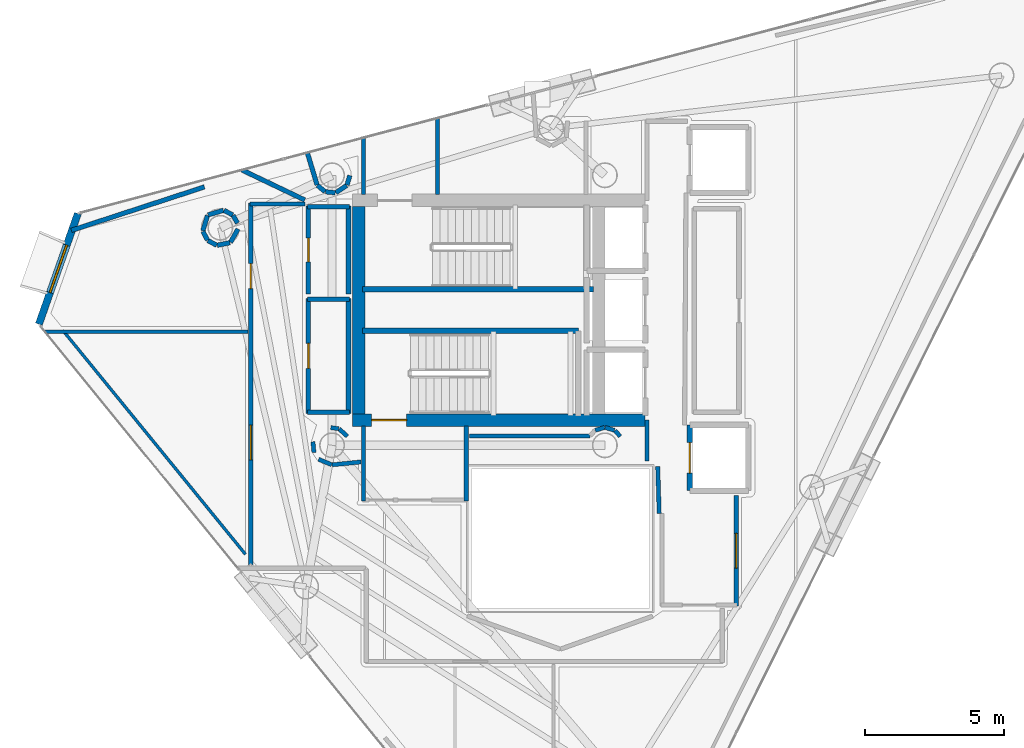
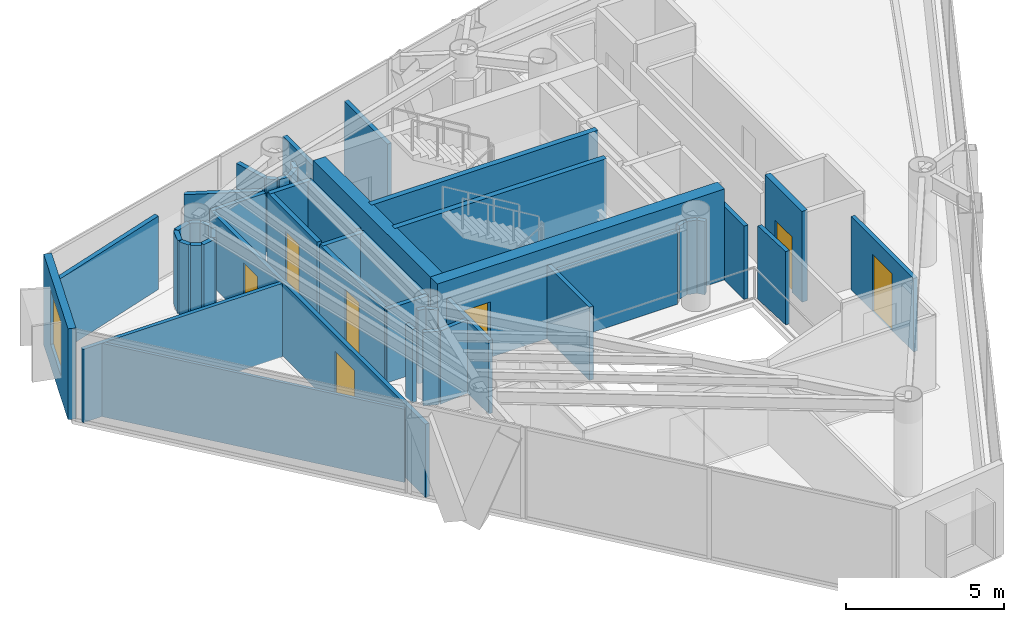
# One storey, part 19 of 23: 48 walls, 7 doors, 1 window, 8 openings.
"""IFC4 building model written with IfcOpenShell, lengths in metres."""

import ifcopenshell
import ifcopenshell.guid

model = None  # the IFC model being written
_history = None  # IfcOwnerHistory: only IFC2X3 demands one
_inside = {}  # id of a spatial element -> (the spatial element, [elements in it])
_under = {}  # id of a project, library or spatial element -> (it, [spatial elements below it])
_declared = {}  # id of a project -> (the project, [libraries it declares])
_typed = {}  # id of a type object -> (the type object, [elements of that type])
_made_of = {}  # id of a material, layer set ... -> (it, [elements and type objects made of it])


def new_model(schema):
    """Start an empty IFC model of exactly this schema.

    Asked for "IFC4X3", IfcOpenShell would pick the latest addendum, in which some entities
    have other attributes; the version numbers below select the first issue.
    IFC2X3 requires an IfcOwnerHistory on every rooted entity: one is made here for all.
    """
    global model, _history
    if schema == "IFC4X3":
        model = ifcopenshell.file(schema_version=(4, 3, 0, 0))
    else:
        model = ifcopenshell.file(schema=schema)
    _inside.clear()
    _under.clear()
    _declared.clear()
    _typed.clear()
    _made_of.clear()
    _history = None
    if model.schema == "IFC2X3":
        org = make("IfcOrganization", Name="unknown")
        user = make(
            "IfcPersonAndOrganization",
            ThePerson=make("IfcPerson", FamilyName="unknown"),
            TheOrganization=org,
        )
        app = make(
            "IfcApplication",
            ApplicationDeveloper=org,
            Version="unknown",
            ApplicationFullName="unknown",
            ApplicationIdentifier="unknown",
        )
        _history = make(
            "IfcOwnerHistory",
            OwningUser=user,
            OwningApplication=app,
            ChangeAction="ADDED",
            CreationDate=0,
        )
    return model


def make(cls, **values):
    """One entity of the class cls with the attributes given. An attribute that is None is left unset."""
    return model.create_entity(
        cls, **{name: value for name, value in values.items() if value is not None}
    )


def rooted(cls, **values):
    """An entity with a GlobalId (a new one), such as an element, a storey or a relation."""
    return make(cls, GlobalId=ifcopenshell.guid.new(), OwnerHistory=_history, **values)


def si_unit(unit_type, name, prefix=None):
    """IfcSIUnit, for example si_unit("LENGTHUNIT", "METRE", prefix="MILLI")."""
    return make("IfcSIUnit", UnitType=unit_type, Prefix=prefix, Name=name)


def assignment(units):
    """IfcUnitAssignment: the units of a project."""
    return None if units is None else make("IfcUnitAssignment", Units=units)


def point(xyz):
    """IfcCartesianPoint."""
    return None if xyz is None else make("IfcCartesianPoint", Coordinates=xyz)


def direction(xyz):
    """IfcDirection."""
    return None if xyz is None else make("IfcDirection", DirectionRatios=xyz)


def frame(location, z_axis=None, x_axis=None):
    """IfcAxis2Placement3D, a coordinate frame: its origin and axes. An axis left out is left unset."""
    return make(
        "IfcAxis2Placement3D",
        Location=point(location),
        Axis=direction(z_axis),
        RefDirection=direction(x_axis),
    )


def frame_2d(location, x_axis=None):
    """IfcAxis2Placement2D, a coordinate frame in the plane: its origin and x axis."""
    return make(
        "IfcAxis2Placement2D", Location=point(location), RefDirection=direction(x_axis)
    )


def origin():
    """The frame at (0, 0, 0) with its axes left unset."""
    return frame((0.0, 0.0, 0.0))


def place(relative_to, where):
    """IfcLocalPlacement: puts the frame where relative to a parent placement (None: the world)."""
    return make(
        "IfcLocalPlacement", PlacementRelTo=relative_to, RelativePlacement=where
    )


def context(
    kind, dimensions, precision=None, world=None, true_north=None, identifier=None
):
    """IfcGeometricRepresentationContext, for example the 3D "Model" context."""
    return make(
        "IfcGeometricRepresentationContext",
        ContextIdentifier=identifier,
        ContextType=kind,
        CoordinateSpaceDimension=dimensions,
        Precision=precision,
        WorldCoordinateSystem=world,
        TrueNorth=true_north,
    )


def subcontext(parent, identifier, kind, view, scale=None):
    """IfcGeometricRepresentationSubContext, for example "Body" below "Model"."""
    return make(
        "IfcGeometricRepresentationSubContext",
        ContextIdentifier=identifier,
        ContextType=kind,
        ParentContext=parent,
        TargetScale=scale,
        TargetView=view,
    )


def project(units=None, contexts=None):
    """IfcProject with its units and contexts."""
    return rooted(
        "IfcProject",
        Name="project",
        RepresentationContexts=contexts,
        UnitsInContext=assignment(units),
    )


def spatial(cls, under=None, at=None, **own):
    """A site, building, storey or space (cls), placed at a placement, below another one or the project."""
    s = rooted(cls, ObjectPlacement=at, **own)
    if under is not None:
        _under.setdefault(under.id(), (under, []))[1].append(s)
    return s


def profile(cls, at=None, kind="AREA", **sizes):
    """A parametric profile (cls). Its sizes go by their IFC names, for example OverallWidth=200.0."""
    return make(cls, ProfileType=kind, Position=at, **sizes)


def rectangle(**sizes):
    """IfcRectangleProfileDef."""
    return profile("IfcRectangleProfileDef", **sizes)


def extrude(swept, where, along, depth):
    """IfcExtrudedAreaSolid: the profile swept, set in the frame where, extruded along a direction by depth."""
    return make(
        "IfcExtrudedAreaSolid",
        SweptArea=swept,
        Position=where,
        ExtrudedDirection=direction(along),
        Depth=depth,
    )


def shape(context_of_items, identifier, shape_type, items):
    """IfcShapeRepresentation: the items that make up one representation, for example the "Body"."""
    return make(
        "IfcShapeRepresentation",
        ContextOfItems=context_of_items,
        RepresentationIdentifier=identifier,
        RepresentationType=shape_type,
        Items=items,
    )


def material(Name=None, Category=None):
    """IfcMaterial."""
    return make("IfcMaterial", Name=Name, Category=Category)


def layer(
    of_material, thickness, ventilated=None, Name=None, Category=None, Priority=None
):
    """IfcMaterialLayer: one layer of a wall or slab, of a material (None: an air gap)."""
    return make(
        "IfcMaterialLayer",
        Material=of_material,
        LayerThickness=thickness,
        IsVentilated=ventilated,
        Name=Name,
        Category=Category,
        Priority=Priority,
    )


def layer_set(layers, Name=None):
    """IfcMaterialLayerSet."""
    return make("IfcMaterialLayerSet", MaterialLayers=layers, LayerSetName=Name)


def made_of(thing, what):
    """Note that an element or type object is made of a material, layer set ...; save() writes the relation."""
    if what is not None:
        _made_of.setdefault(what.id(), (what, []))[1].append(thing)
    return thing


def type_object(cls, material=None, **own):
    """A type object (cls), such as IfcWallType, which elements share."""
    return made_of(rooted(cls, **own), material)


def element(
    cls,
    number,
    at=None,
    inside=None,
    cuts=None,
    type_object=None,
    material=None,
    context=None,
    identifier="Body",
    shape_type=None,
    held_by="IfcProductDefinitionShape",
    body=None,
    shapes=None,
    **own,
):
    """One element of the class cls, such as IfcWall. Its Tag is "e" and its number.

    at: its placement. inside: the storey or other place that contains it. cuts: it is an
    opening in that element (IfcRelVoidsElement). A single representation is given by context,
    identifier, shape_type and body (its items); several are given by shapes. held_by: the class
    of the entity that holds the representations. save() writes the other relations.
    """
    e = rooted(cls, Tag="e%d" % number, ObjectPlacement=at, **own)
    if body is not None:
        shapes = [shape(context, identifier, shape_type, body)]
    if shapes is not None:
        e.Representation = make(held_by, Representations=shapes)
    if inside is not None:
        _inside.setdefault(inside.id(), (inside, []))[1].append(e)
    if cuts is not None:
        rooted(
            "IfcRelVoidsElement", RelatingBuildingElement=cuts, RelatedOpeningElement=e
        )
    if type_object is not None:
        _typed.setdefault(type_object.id(), (type_object, []))[1].append(e)
    return made_of(e, material)


def fill(opening, filler):
    """IfcRelFillsElement: the door or window that sits in an opening."""
    return rooted(
        "IfcRelFillsElement",
        RelatingOpeningElement=opening,
        RelatedBuildingElement=filler,
    )


def aggregate(whole, parts):
    """IfcRelAggregates: a whole, such as a stair, and the parts it consists of."""
    return rooted("IfcRelAggregates", RelatingObject=whole, RelatedObjects=parts)


def save(model, path):
    """Write the relations noted so far, then the file.

    IfcRelAggregates (storeys below a building ...), IfcRelContainedInSpatialStructure (elements
    in a storey), IfcRelDefinesByType, IfcRelAssociatesMaterial and IfcRelDeclares: one each for
    every whole, place, type object, material and project.
    """
    for whole, parts in _under.values():
        aggregate(whole, parts)
    for where, things in _inside.values():
        rooted(
            "IfcRelContainedInSpatialStructure",
            RelatedElements=things,
            RelatingStructure=where,
        )
    for kind, things in _typed.values():
        rooted("IfcRelDefinesByType", RelatedObjects=things, RelatingType=kind)
    for what, things in _made_of.values():
        rooted("IfcRelAssociatesMaterial", RelatedObjects=things, RelatingMaterial=what)
    for by, libraries in _declared.values():
        rooted("IfcRelDeclares", RelatingContext=by, RelatedDefinitions=libraries)
    model.write(path)


model = new_model("IFC4")

# Units and contexts
model_context = context("Model", 3, precision=1e-05, world=origin(), true_north=direction((0.0, 1.0)))
body_context = subcontext(model_context, "Body", "Model", "MODEL_VIEW")
ifc_project = project(units=[si_unit("LENGTHUNIT", "METRE"), si_unit("AREAUNIT", "SQUARE_METRE"), si_unit("VOLUMEUNIT", "CUBIC_METRE"), si_unit("PLANEANGLEUNIT", "RADIAN"), si_unit("MASSUNIT", "GRAM", prefix="KILO")], contexts=[model_context])

# Site, building, storey
site_placement = place(None, origin())
site = spatial("IfcSite", under=ifc_project, at=site_placement, CompositionType="ELEMENT")
building_placement = place(site_placement, origin())
building = spatial("IfcBuilding", under=site, at=building_placement, Name="Qianvela Tower", CompositionType="ELEMENT")
storey_placement = place(building_placement, frame((0.0, 0.0, 313.89990234375)))
storey = spatial("IfcBuildingStorey", under=building, at=storey_placement, Name="L81", CompositionType="ELEMENT", Elevation=313.89990234375)

# Wall, opening, window
ifc_material_1 = material(Name="Terracotta Cladding on Concrete C40", Category="masonry")
ifc_layer_1 = layer(ifc_material_1, 0.260009765625)
ifc_layer_set_1 = layer_set([ifc_layer_1], Name="Terracotta Cladding on Concrete C40")
wall_type_1 = type_object("IfcWallType", Name="TERRACOTTA-WALL-260", PredefinedType="SOLIDWALL", material=ifc_layer_set_1)
wall_1_placement = place(storey_placement, frame((19.469482421875, 32.17431640625, 0.0), z_axis=(0.0, 0.0, 1.0), x_axis=(-0.332383607954, -0.943144282262, 0.0)))
wall_1 = element("IfcWall", 1, at=wall_1_placement, inside=storey, type_object=wall_type_1, Name="L81 Terracotta Chamfer Facet Wall 3", PredefinedType="SOLIDWALL", context=body_context, shape_type="SweptSolid", body=[
    extrude(rectangle(XDim=4.213134765625, YDim=0.260009765625, at=frame_2d((2.1064453125, 0.0))), origin(), (0.0, 0.0, 1.0), 3.52001953125),
])
opening_1_placement = place(wall_1_placement, frame((1.20654296875, 0.0, 0.85009765625)))
opening_1 = element("IfcOpeningElement", 2, at=opening_1_placement, cuts=wall_1, Name="Opening W-01", PredefinedType="OPENING", context=body_context, shape_type="SweptSolid", body=[
    extrude(rectangle(XDim=1.800048828125, YDim=2.10009765625, at=frame_2d((0.89990234375, 1.050048828125))), frame((0.0, 0.139892578125, 0.0), z_axis=(0.0, -1.0, 0.0), x_axis=(1.0, 0.0, 0.0)), (0.0, 0.0, 1.0), 0.280029296875),
])
ifc_material_2 = material(Name="Thermally Broken Aluminium and Low-E Glass", Category="aluminium")
window_type = type_object("IfcWindowType", Name="WIN-TC-1800x2100", PartitioningType="DOUBLE_PANEL_VERTICAL", PredefinedType="WINDOW", material=ifc_material_2)
window_placement = place(opening_1_placement, origin())
window = element("IfcWindow", 3, at=window_placement, inside=storey, type_object=window_type, Name="L81 Chamfer Facet Window 3.1", OverallHeight=2.10009765625, OverallWidth=1.800048828125, PartitioningType="SINGLE_PANEL", PredefinedType="WINDOW", context=body_context, shape_type="SweptSolid", body=[
    extrude(rectangle(XDim=1.800048828125, YDim=2.10009765625, at=frame_2d((0.89990234375, 1.050048828125))), frame((0.0, 0.030029296875, 0.0), z_axis=(0.0, -1.0, 0.0), x_axis=(1.0, 0.0, 0.0)), (0.0, 0.0, 1.0), 0.06005859375),
])
fill(opening_1, window)

# Wall, opening, door
ifc_material_3 = material(Name="Concrete C50", Category="concrete")
ifc_layer_2 = layer(ifc_material_3, 0.449951171875)
ifc_layer_set_2 = layer_set([ifc_layer_2], Name="Concrete C50")
wall_type_2 = type_object("IfcWallType", Name="WT-CORE-450", PredefinedType="SHEAR", material=ifc_layer_set_2)
wall_2_placement = place(storey_placement, frame((29.330078125, 24.7548828125, 0.0), z_axis=(0.0, 0.0, 1.0), x_axis=(1.0, 0.0, 0.0)))
wall_2 = element("IfcWall", 4, at=wall_2_placement, inside=storey, type_object=wall_type_2, Name="L81 South Core Shear Wall", PredefinedType="SHEAR", context=body_context, shape_type="SweptSolid", body=[
    extrude(rectangle(XDim=10.52001953125, YDim=0.449951171875, at=frame_2d((5.260009765625, 0.0))), origin(), (0.0, 0.0, 1.0), 3.52001953125),
])
opening_2_placement = place(wall_2_placement, frame((0.695068359375, 0.0, 0.0)))
opening_2 = element("IfcOpeningElement", 5, at=opening_2_placement, cuts=wall_2, Name="Opening D-ST1", PredefinedType="OPENING", context=body_context, shape_type="SweptSolid", body=[
    extrude(rectangle(XDim=1.25, YDim=2.14990234375, at=frame_2d((0.625, 1.074951171875))), frame((0.0, 0.23486328125, 0.0), z_axis=(0.0, -1.0, 0.0), x_axis=(1.0, 0.0, 0.0)), (0.0, 0.0, 1.0), 0.469970703125),
])
ifc_material_4 = material(Name="Galvanised Fire Steel Q355B", Category="steel")
door_type_1 = type_object("IfcDoorType", Name="DT-STAIR-FD90", OperationType="NOTDEFINED", PredefinedType="DOOR", material=ifc_material_4)
door_1_placement = place(opening_2_placement, origin())
door_1 = element("IfcDoor", 6, at=door_1_placement, inside=storey, type_object=door_type_1, Name="L81 Stair ST-2 Exit Door", OperationType="SINGLE_SWING_LEFT", OverallHeight=2.14990234375, OverallWidth=1.25, PredefinedType="DOOR", context=body_context, shape_type="SweptSolid", body=[
    extrude(rectangle(XDim=1.25, YDim=2.14990234375, at=frame_2d((0.625, 1.074951171875))), frame((0.0, 0.02490234375, 0.0), z_axis=(0.0, -1.0, 0.0), x_axis=(1.0, 0.0, 0.0)), (0.0, 0.0, 1.0), 0.050048828125),
])
fill(opening_2, door_1)

# Walls
wall_3_placement = place(storey_placement, frame((29.554931640625, 24.97998046875, 0.0), z_axis=(0.0, 0.0, 1.0), x_axis=(0.0, 1.0, 0.0)))
element("IfcWall", 7, at=wall_3_placement, inside=storey, type_object=wall_type_2, Name="L81 West Core Shear Wall", PredefinedType="SHEAR", context=body_context, shape_type="SweptSolid", body=[
    extrude(rectangle(XDim=7.43994140625, YDim=0.449951171875, at=frame_2d((3.719970703125, 0.0))), origin(), (0.0, 0.0, 1.0), 3.52001953125),
])
ifc_material_5 = material(Name="Fire-Rated Acoustic Gypsum Board")
ifc_layer_3 = layer(ifc_material_5, 0.14990234375)
ifc_layer_set_3 = layer_set([ifc_layer_3], Name="Fire-Rated Acoustic Gypsum Board")
wall_type_3 = type_object("IfcWallType", Name="WT-CORR-150", PredefinedType="PARTITIONING", material=ifc_layer_set_3)
wall_4_placement = place(storey_placement, frame((32.388916015625, 35.619140625, 0.0), z_axis=(0.0, 0.0, 1.0), x_axis=(0.0, -1.0, 0.0)))
element("IfcWall", 8, at=wall_4_placement, inside=storey, type_object=wall_type_3, Name="L81 Partition 2", PredefinedType="PARTITIONING", context=body_context, shape_type="SweptSolid", body=[
    extrude(rectangle(XDim=2.76123046875, YDim=0.14990234375, at=frame_2d((1.380615234375, 0.0))), origin(), (0.0, 0.0, 1.0), 2.840087890625),
])
wall_5_placement = place(storey_placement, frame((29.73095703125, 32.85791015625, 0.0), z_axis=(0.0, 0.0, 1.0), x_axis=(0.0, 1.0, 0.0)))
element("IfcWall", 9, at=wall_5_placement, inside=storey, type_object=wall_type_3, Name="L81 Partition 4", PredefinedType="PARTITIONING", context=body_context, shape_type="SweptSolid", body=[
    extrude(rectangle(XDim=2.056640625, YDim=0.14990234375, at=frame_2d((1.0283203125, 0.0))), origin(), (0.0, 0.0, 1.0), 2.840087890625),
])
for number, where, z_axis, x_axis, name in (
    (10, (29.73095703125, 21.85009765625, 0.0), (0.0, 0.0, 1.0), (0.0, 1.0, 0.0), "L81 Partition 6"),
    (11, (33.4189453125, 24.5419921875, 0.0), (0.0, 0.0, 1.0), (0.0, -1.0, 0.0), "L81 Partition 8"),
):
    element("IfcWall", number, at=place(storey_placement, frame(where, z_axis=z_axis, x_axis=x_axis)), inside=storey, type_object=wall_type_3, Name=name, PredefinedType="PARTITIONING", context=body_context, shape_type="SweptSolid", body=[
        extrude(rectangle(XDim=2.69189453125, YDim=0.14990234375, at=frame_2d((1.345947265625, 0.0))), origin(), (0.0, 0.0, 1.0), 2.840087890625),
    ])
wall_6_placement = place(storey_placement, frame((40.35107421875, 21.40087890625, 0.0), z_axis=(0.0, 0.0, 1.0), x_axis=(-0.031058045979, 0.999517582527, 0.0)))
element("IfcWall", 12, at=wall_6_placement, inside=storey, type_object=wall_type_3, Name="L81 Partition 9", PredefinedType="PARTITIONING", context=body_context, shape_type="SweptSolid", body=[
    extrude(rectangle(XDim=1.68212890625, YDim=0.14990234375, at=frame_2d((0.841064453125, 0.0))), origin(), (0.0, 0.0, 1.0), 2.840087890625),
])
wall_7_placement = place(storey_placement, frame((39.910888671875, 23.280029296875, 0.0), z_axis=(0.0, 0.0, 1.0), x_axis=(0.0, 1.0, 0.0)))
element("IfcWall", 13, at=wall_7_placement, inside=storey, type_object=wall_type_3, Name="L81 Partition 10", PredefinedType="PARTITIONING", context=body_context, shape_type="SweptSolid", body=[
    extrude(rectangle(XDim=1.47998046875, YDim=0.14990234375, at=frame_2d((0.739990234375, 0.0))), origin(), (0.0, 0.0, 1.0), 2.840087890625),
])

# Wall, opening, door
wall_8_placement = place(storey_placement, frame((43.118896484375, 22.050048828125, 0.0), z_axis=(0.0, 0.0, 1.0), x_axis=(0.0, -1.0, 0.0)))
wall_8 = element("IfcWall", 14, at=wall_8_placement, inside=storey, type_object=wall_type_3, Name="L81 Partition 16", PredefinedType="PARTITIONING", context=body_context, shape_type="SweptSolid", body=[
    extrude(rectangle(XDim=3.969970703125, YDim=0.14990234375, at=frame_2d((1.98486328125, 0.0))), origin(), (0.0, 0.0, 1.0), 2.840087890625),
])
opening_3_placement = place(wall_8_placement, frame((1.360107421875, 0.0, 0.0)))
opening_3 = element("IfcOpeningElement", 15, at=opening_3_placement, cuts=wall_8, Name="Opening D-LG1", PredefinedType="OPENING", context=body_context, shape_type="SweptSolid", body=[
    extrude(rectangle(XDim=1.25, YDim=2.199951171875, at=frame_2d((0.625, 1.10009765625))), frame((0.0, 0.0849609375, 0.0), z_axis=(0.0, -1.0, 0.0), x_axis=(1.0, 0.0, 0.0)), (0.0, 0.0, 1.0), 0.169921875),
])
ifc_material_6 = material(Name="Anodised Aluminium Acoustic Glass Door", Category="aluminium")
door_type_2 = type_object("IfcDoorType", Name="DT-LOUNGE-1250", OperationType="NOTDEFINED", PredefinedType="DOOR", material=ifc_material_6)
door_2_placement = place(opening_3_placement, origin())
door_2 = element("IfcDoor", 16, at=door_2_placement, inside=storey, type_object=door_type_2, Name="L81 Door Graduate Seminar Classroom L81-03 to L81 Lift Lobby", OperationType="SINGLE_SWING_RIGHT", OverallHeight=2.199951171875, OverallWidth=1.25, PredefinedType="DOOR", context=body_context, shape_type="SweptSolid", body=[
    extrude(rectangle(XDim=1.25, YDim=2.199951171875, at=frame_2d((0.625, 1.10009765625))), frame((0.0, 0.02490234375, 0.0), z_axis=(0.0, -1.0, 0.0), x_axis=(1.0, 0.0, 0.0)), (0.0, 0.0, 1.0), 0.050048828125),
])
fill(opening_3, door_2)

# Walls
wall_9_placement = place(storey_placement, frame((38.950927734375, 24.1708984375, 0.0), z_axis=(0.0, 0.0, 1.0), x_axis=(-0.674186852077, 0.738560822469, 0.0)))
element("IfcWall", 17, at=wall_9_placement, inside=storey, type_object=wall_type_3, Name="L81 Partition 33", PredefinedType="PARTITIONING", context=body_context, shape_type="SweptSolid", body=[
    extrude(rectangle(XDim=0.28076171875, YDim=0.14990234375, at=frame_2d((0.140380859375, 0.0))), origin(), (0.0, 0.0, 1.0), 2.840087890625),
])
wall_10_placement = place(storey_placement, frame((38.747802734375, 24.386962890625, 0.0), z_axis=(0.0, 0.0, 1.0), x_axis=(-0.956948991291, 0.290256142171, 0.0)))
element("IfcWall", 18, at=wall_10_placement, inside=storey, type_object=wall_type_3, Name="L81 Partition 34", PredefinedType="PARTITIONING", context=body_context, shape_type="SweptSolid", body=[
    extrude(rectangle(XDim=0.35400390625, YDim=0.14990234375, at=frame_2d((0.177001953125, 0.0))), origin(), (0.0, 0.0, 1.0), 2.840087890625),
])
wall_11_placement = place(storey_placement, frame((38.39111328125, 24.48974609375, 0.0), z_axis=(0.0, 0.0, 1.0), x_axis=(-0.957007018611, -0.290064762301, 0.0)))
element("IfcWall", 19, at=wall_11_placement, inside=storey, type_object=wall_type_3, Name="L81 Partition 35", PredefinedType="PARTITIONING", context=body_context, shape_type="SweptSolid", body=[
    extrude(rectangle(XDim=0.354248046875, YDim=0.14990234375, at=frame_2d((0.17724609375, 0.0))), origin(), (0.0, 0.0, 1.0), 2.840087890625),
])
wall_12_placement = place(storey_placement, frame((37.8720703125, 24.180908203125, 0.0), z_axis=(0.0, 0.0, 1.0), x_axis=(-1.0, 0.0, 0.0)))
element("IfcWall", 20, at=wall_12_placement, inside=storey, type_object=wall_type_3, Name="L81 Partition 37", PredefinedType="PARTITIONING", context=body_context, shape_type="SweptSolid", body=[
    extrude(rectangle(XDim=4.342041015625, YDim=0.14990234375, at=frame_2d((2.1708984375, 0.0))), origin(), (0.0, 0.0, 1.0), 2.840087890625),
])
wall_13_placement = place(storey_placement, frame((29.148681640625, 24.173095703125, 0.0), z_axis=(0.0, 0.0, 1.0), x_axis=(-0.745225165416, 0.666812906917, 0.0)))
element("IfcWall", 21, at=wall_13_placement, inside=storey, type_object=wall_type_3, Name="L81 Partition 47", PredefinedType="PARTITIONING", context=body_context, shape_type="SweptSolid", body=[
    extrude(rectangle(XDim=0.3955078125, YDim=0.14990234375, at=frame_2d((0.19775390625, 0.0))), origin(), (0.0, 0.0, 1.0), 2.840087890625),
])
wall_14_placement = place(storey_placement, frame((28.837890625, 24.444091796875, 0.0), z_axis=(0.0, 0.0, 1.0), x_axis=(-0.989449148305, 0.144880581578, 0.0)))
element("IfcWall", 22, at=wall_14_placement, inside=storey, type_object=wall_type_3, Name="L81 Partition 48", PredefinedType="PARTITIONING", context=body_context, shape_type="SweptSolid", body=[
    extrude(rectangle(XDim=0.286376953125, YDim=0.14990234375, at=frame_2d((0.14306640625, 0.0))), origin(), (0.0, 0.0, 1.0), 2.840087890625),
])
wall_15_placement = place(storey_placement, frame((25.64990234375, 32.51904296875, 0.0), z_axis=(0.0, 0.0, 1.0), x_axis=(1.0, 0.0, 0.0)))
element("IfcWall", 23, at=wall_15_placement, inside=storey, type_object=wall_type_3, Name="L81 Partition 58", PredefinedType="PARTITIONING", context=body_context, shape_type="SweptSolid", body=[
    extrude(rectangle(XDim=1.97021484375, YDim=0.14990234375, at=frame_2d((0.985107421875, 0.0))), origin(), (0.0, 0.0, 1.0), 2.840087890625),
])
wall_16_placement = place(storey_placement, frame((27.912109375, 23.977783203125, 0.0), z_axis=(0.0, 0.0, 1.0), x_axis=(0.097888269922, -0.995197410875, 0.0)))
element("IfcWall", 24, at=wall_16_placement, inside=storey, type_object=wall_type_3, Name="L81 Partition 60", PredefinedType="PARTITIONING", context=body_context, shape_type="SweptSolid", body=[
    extrude(rectangle(XDim=0.38916015625, YDim=0.14990234375, at=frame_2d((0.194580078125, 0.0))), origin(), (0.0, 0.0, 1.0), 2.840087890625),
])
wall_17_placement = place(storey_placement, frame((28.114501953125, 23.34765625, 0.0), z_axis=(0.0, 0.0, 1.0), x_axis=(0.923807847969, -0.382856448334, 0.0)))
element("IfcWall", 25, at=wall_17_placement, inside=storey, type_object=wall_type_3, Name="L81 Partition 61", PredefinedType="PARTITIONING", context=body_context, shape_type="SweptSolid", body=[
    extrude(rectangle(XDim=0.5126953125, YDim=0.14990234375, at=frame_2d((0.25634765625, 0.0))), origin(), (0.0, 0.0, 1.0), 2.840087890625),
])
wall_18_placement = place(storey_placement, frame((28.60302734375, 23.149169921875, 0.0), z_axis=(0.0, 0.0, 1.0), x_axis=(0.995179827095, 0.098066873836, 0.0)))
element("IfcWall", 26, at=wall_18_placement, inside=storey, type_object=wall_type_3, Name="L81 Partition 62", PredefinedType="PARTITIONING", context=body_context, shape_type="SweptSolid", body=[
    extrude(rectangle(XDim=1.043212890625, YDim=0.14990234375, at=frame_2d((0.521484375, 0.0))), origin(), (0.0, 0.0, 1.0), 2.840087890625),
])

# Wall, openings, doors
wall_19_placement = place(storey_placement, frame((25.680908203125, 18.847412109375, 0.0), z_axis=(0.0, 0.0, 1.0), x_axis=(0.0, 1.0, 0.0)))
wall_19 = element("IfcWall", 27, at=wall_19_placement, inside=storey, type_object=wall_type_3, Name="L81 Partition 72", PredefinedType="PARTITIONING", context=body_context, shape_type="SweptSolid", body=[
    extrude(rectangle(XDim=13.70263671875, YDim=0.14990234375, at=frame_2d((6.851318359375, 0.0))), origin(), (0.0, 0.0, 1.0), 2.840087890625),
])
opening_4_placement = place(wall_19_placement, frame((4.475830078125, 0.0, 0.0)))
opening_4 = element("IfcOpeningElement", 28, at=opening_4_placement, cuts=wall_19, Name="Opening D-LG1", PredefinedType="OPENING", context=body_context, shape_type="SweptSolid", body=[
    extrude(rectangle(XDim=1.25, YDim=2.199951171875, at=frame_2d((0.625, 1.10009765625))), frame((0.0, 0.0849609375, 0.0), z_axis=(0.0, -1.0, 0.0), x_axis=(1.0, 0.0, 0.0)), (0.0, 0.0, 1.0), 0.169921875),
])
opening_5_placement = place(wall_19_placement, frame((10.628173828125, 0.0, 0.0)))
opening_5 = element("IfcOpeningElement", 29, at=opening_5_placement, cuts=wall_19, Name="Opening D-KT1", PredefinedType="OPENING", context=body_context, shape_type="SweptSolid", body=[
    extrude(rectangle(XDim=0.89990234375, YDim=2.10009765625, at=frame_2d((0.449951171875, 1.050048828125))), frame((0.0, 0.0849609375, 0.0), z_axis=(0.0, -1.0, 0.0), x_axis=(1.0, 0.0, 0.0)), (0.0, 0.0, 1.0), 0.169921875),
])
ifc_material_7 = material(Name="Glazed Timber Kitchen Door", Category="wood")
door_type_3 = type_object("IfcDoorType", Name="DT-KITCH-900", OperationType="NOTDEFINED", PredefinedType="DOOR", material=ifc_material_7)
door_3_placement = place(opening_5_placement, origin())
door_3 = element("IfcDoor", 30, at=door_3_placement, inside=storey, type_object=door_type_3, Name="L81 Door Floor Dining Kitchen L81-04 to L81 Floor Corridor", OperationType="SINGLE_SWING_LEFT", OverallHeight=2.10009765625, OverallWidth=0.89990234375, PredefinedType="DOOR", context=body_context, shape_type="SweptSolid", body=[
    extrude(rectangle(XDim=0.89990234375, YDim=2.10009765625, at=frame_2d((0.449951171875, 1.050048828125))), frame((0.0, 0.02490234375, 0.0), z_axis=(0.0, -1.0, 0.0), x_axis=(1.0, 0.0, 0.0)), (0.0, 0.0, 1.0), 0.050048828125),
])
fill(opening_5, door_3)
door_4_placement = place(opening_4_placement, origin())
door_4 = element("IfcDoor", 31, at=door_4_placement, inside=storey, type_object=door_type_2, Name="L81 Door Project Huddle Conference L81-01 to L81 Floor Corridor", OperationType="SINGLE_SWING_RIGHT", OverallHeight=2.199951171875, OverallWidth=1.25, PredefinedType="DOOR", context=body_context, shape_type="SweptSolid", body=[
    extrude(rectangle(XDim=1.25, YDim=2.199951171875, at=frame_2d((0.625, 1.10009765625))), frame((0.0, 0.02490234375, 0.0), z_axis=(0.0, -1.0, 0.0), x_axis=(1.0, 0.0, 0.0)), (0.0, 0.0, 1.0), 0.050048828125),
])
fill(opening_4, door_4)

# Wall
ifc_material_8 = material(Name="Lightweight Gypsum Room Partition")
ifc_layer_4 = layer(ifc_material_8, 0.10498046875)
ifc_layer_set_4 = layer_set([ifc_layer_4], Name="Lightweight Gypsum Room Partition")
wall_type_4 = type_object("IfcWallType", Name="WT-PART-105", PredefinedType="PARTITIONING", material=ifc_layer_set_4)
wall_20_placement = place(storey_placement, frame((25.4892578125, 19.934814453125, 0.0), z_axis=(0.0, 0.0, 1.0), x_axis=(-0.632036778689, 0.774938391348, 0.0)))
element("IfcWall", 32, at=wall_20_placement, inside=storey, type_object=wall_type_4, Name="L81 Partition 73", PredefinedType="PARTITIONING", context=body_context, shape_type="SweptSolid", body=[
    extrude(rectangle(XDim=10.37890625, YDim=0.10498046875, at=frame_2d((5.189453125, 0.0))), origin(), (0.0, 0.0, 1.0), 2.840087890625),
])

# Wall, opening, door
ifc_material_9 = material(Name="Sanitary Service Chase Partition")
ifc_layer_5 = layer(ifc_material_9, 0.1650390625)
ifc_layer_set_5 = layer_set([ifc_layer_5], Name="Sanitary Service Chase Partition")
wall_type_5 = type_object("IfcWallType", Name="WT-PLUMB-165", PredefinedType="PLUMBINGWALL", material=ifc_layer_set_5)
wall_21_placement = place(storey_placement, frame((27.7509765625, 25.0, 0.0), z_axis=(0.0, 0.0, 1.0), x_axis=(0.0, 1.0, 0.0)))
wall_21 = element("IfcWall", 33, at=wall_21_placement, inside=storey, type_object=wall_type_5, Name="L81 Partition 23", PredefinedType="PLUMBINGWALL", context=body_context, shape_type="SweptSolid", body=[
    extrude(rectangle(XDim=4.1201171875, YDim=0.1650390625, at=frame_2d((2.06005859375, 0.0))), origin(), (0.0, 0.0, 1.0), 2.840087890625),
])
opening_6_placement = place(wall_21_placement, frame((1.610107421875, 0.0, 0.0)))
opening_6 = element("IfcOpeningElement", 34, at=opening_6_placement, cuts=wall_21, Name="Opening D-KT1", PredefinedType="OPENING", context=body_context, shape_type="SweptSolid", body=[
    extrude(rectangle(XDim=0.89990234375, YDim=2.10009765625, at=frame_2d((0.449951171875, 1.050048828125))), frame((0.0, 0.092529296875, 0.0), z_axis=(0.0, -1.0, 0.0), x_axis=(1.0, 0.0, 0.0)), (0.0, 0.0, 1.0), 0.18505859375),
])
door_5_placement = place(opening_6_placement, origin())
door_5 = element("IfcDoor", 35, at=door_5_placement, inside=storey, type_object=door_type_3, Name="L81 Door L81 Core Tea Pantry West to L81 Floor Corridor", OperationType="SINGLE_SWING_LEFT", OverallHeight=2.10009765625, OverallWidth=0.89990234375, PredefinedType="DOOR", context=body_context, shape_type="SweptSolid", body=[
    extrude(rectangle(XDim=0.89990234375, YDim=2.10009765625, at=frame_2d((0.449951171875, 1.050048828125))), frame((0.0, 0.02490234375, 0.0), z_axis=(0.0, -1.0, 0.0), x_axis=(1.0, 0.0, 0.0)), (0.0, 0.0, 1.0), 0.050048828125),
])
fill(opening_6, door_5)

# Walls
wall_22_placement = place(storey_placement, frame((27.719970703125, 29.089111328125, 0.0), z_axis=(0.0, 0.0, 1.0), x_axis=(1.0, 0.0, 0.0)))
element("IfcWall", 36, at=wall_22_placement, inside=storey, type_object=wall_type_5, Name="L81 Partition 24", PredefinedType="PLUMBINGWALL", context=body_context, shape_type="SweptSolid", body=[
    extrude(rectangle(XDim=1.5, YDim=0.1650390625, at=frame_2d((0.75, 0.0))), origin(), (0.0, 0.0, 1.0), 2.840087890625),
])
wall_23_placement = place(storey_placement, frame((29.18896484375, 29.1201171875, 0.0), z_axis=(0.0, 0.0, 1.0), x_axis=(0.0, -1.0, 0.0)))
element("IfcWall", 37, at=wall_23_placement, inside=storey, type_object=wall_type_5, Name="L81 Partition 25", PredefinedType="PLUMBINGWALL", context=body_context, shape_type="SweptSolid", body=[
    extrude(rectangle(XDim=4.1201171875, YDim=0.1650390625, at=frame_2d((2.06005859375, 0.0))), origin(), (0.0, 0.0, 1.0), 2.840087890625),
])
wall_24_placement = place(storey_placement, frame((29.219970703125, 25.031005859375, 0.0), z_axis=(0.0, 0.0, 1.0), x_axis=(-1.0, 0.0, 0.0)))
element("IfcWall", 38, at=wall_24_placement, inside=storey, type_object=wall_type_5, Name="L81 Partition 26", PredefinedType="PLUMBINGWALL", context=body_context, shape_type="SweptSolid", body=[
    extrude(rectangle(XDim=1.5, YDim=0.1650390625, at=frame_2d((0.75, 0.0))), origin(), (0.0, 0.0, 1.0), 2.840087890625),
])

# Wall, opening, door
wall_25_placement = place(storey_placement, frame((27.7509765625, 29.280029296875, 0.0), z_axis=(0.0, 0.0, 1.0), x_axis=(0.0, 1.0, 0.0)))
wall_25 = element("IfcWall", 39, at=wall_25_placement, inside=storey, type_object=wall_type_5, Name="L81 Partition 27", PredefinedType="PLUMBINGWALL", context=body_context, shape_type="SweptSolid", body=[
    extrude(rectangle(XDim=3.169921875, YDim=0.1650390625, at=frame_2d((1.5849609375, 0.0))), origin(), (0.0, 0.0, 1.0), 2.840087890625),
])
opening_7_placement = place(wall_25_placement, frame((1.155029296875, 0.0, 0.0)))
opening_7 = element("IfcOpeningElement", 40, at=opening_7_placement, cuts=wall_25, Name="Opening D-WC1", PredefinedType="OPENING", context=body_context, shape_type="SweptSolid", body=[
    extrude(rectangle(XDim=0.860107421875, YDim=2.050048828125, at=frame_2d((0.43017578125, 1.02490234375))), frame((0.0, 0.092529296875, 0.0), z_axis=(0.0, -1.0, 0.0), x_axis=(1.0, 0.0, 0.0)), (0.0, 0.0, 1.0), 0.18505859375),
])
ifc_material_10 = material(Name="Moisture-Sealed Acoustic Timber Door", Category="wood")
door_type_4 = type_object("IfcDoorType", Name="DT-WC-860", OperationType="NOTDEFINED", PredefinedType="DOOR", material=ifc_material_10)
door_6_placement = place(opening_7_placement, origin())
door_6 = element("IfcDoor", 41, at=door_6_placement, inside=storey, type_object=door_type_4, Name="L81 Door L81 Accessible WC to L81 Floor Corridor", OperationType="SINGLE_SWING_RIGHT", OverallHeight=2.050048828125, OverallWidth=0.860107421875, PredefinedType="DOOR", context=body_context, shape_type="SweptSolid", body=[
    extrude(rectangle(XDim=0.860107421875, YDim=2.050048828125, at=frame_2d((0.43017578125, 1.02490234375))), frame((0.0, 0.02490234375, 0.0), z_axis=(0.0, -1.0, 0.0), x_axis=(1.0, 0.0, 0.0)), (0.0, 0.0, 1.0), 0.050048828125),
])
fill(opening_7, door_6)

# Walls
wall_26_placement = place(storey_placement, frame((27.719970703125, 32.4189453125, 0.0), z_axis=(0.0, 0.0, 1.0), x_axis=(1.0, 0.0, 0.0)))
element("IfcWall", 42, at=wall_26_placement, inside=storey, type_object=wall_type_5, Name="L81 Partition 28", PredefinedType="PLUMBINGWALL", context=body_context, shape_type="SweptSolid", body=[
    extrude(rectangle(XDim=1.5, YDim=0.1650390625, at=frame_2d((0.75, 0.0))), origin(), (0.0, 0.0, 1.0), 2.840087890625),
])
wall_27_placement = place(storey_placement, frame((29.18896484375, 32.449951171875, 0.0), z_axis=(0.0, 0.0, 1.0), x_axis=(0.0, -1.0, 0.0)))
element("IfcWall", 43, at=wall_27_placement, inside=storey, type_object=wall_type_5, Name="L81 Partition 29", PredefinedType="PLUMBINGWALL", context=body_context, shape_type="SweptSolid", body=[
    extrude(rectangle(XDim=3.169921875, YDim=0.1650390625, at=frame_2d((1.5849609375, 0.0))), origin(), (0.0, 0.0, 1.0), 2.840087890625),
])
wall_28_placement = place(storey_placement, frame((27.6201171875, 32.660888671875, 0.0), z_axis=(0.0, 0.0, 1.0), x_axis=(-0.902520737302, 0.430646396409, 0.0)))
element("IfcWall", 44, at=wall_28_placement, inside=storey, type_object=wall_type_5, Name="L81 Partition 102", PredefinedType="PLUMBINGWALL", context=body_context, shape_type="SweptSolid", body=[
    extrude(rectangle(XDim=2.4990234375, YDim=0.1650390625, at=frame_2d((1.24951171875, 0.0))), origin(), (0.0, 0.0, 1.0), 2.840087890625),
])
wall_29_placement = place(storey_placement, frame((25.20263671875, 31.8291015625, 0.0), z_axis=(0.0, 0.0, 1.0), x_axis=(-0.488926990846, 0.872324708823, 0.0)))
element("IfcWall", 45, at=wall_29_placement, inside=storey, type_object=wall_type_5, Name="L81 Partition 103", PredefinedType="PLUMBINGWALL", context=body_context, shape_type="SweptSolid", body=[
    extrude(rectangle(XDim=0.321533203125, YDim=0.1650390625, at=frame_2d((0.16064453125, 0.0))), origin(), (0.0, 0.0, 1.0), 2.840087890625),
])
wall_30_placement = place(storey_placement, frame((25.032958984375, 32.12158203125, 0.0), z_axis=(0.0, 0.0, 1.0), x_axis=(-0.881817981942, 0.471589913721, 0.0)))
element("IfcWall", 46, at=wall_30_placement, inside=storey, type_object=wall_type_5, Name="L81 Partition 104", PredefinedType="PLUMBINGWALL", context=body_context, shape_type="SweptSolid", body=[
    extrude(rectangle(XDim=0.35400390625, YDim=0.1650390625, at=frame_2d((0.177001953125, 0.0))), origin(), (0.0, 0.0, 1.0), 2.840087890625),
])
for number, where, z_axis, x_axis, name in (
    (47, (24.697021484375, 32.291015625, 0.0), (0.0, 0.0, 1.0), (-0.956910072495, -0.290384423064, 0.0), "L81 Partition 105"),
    (48, (24.1259765625, 32.103271484375, 0.0), (0.0, 0.0, 1.0), (-0.290384423064, -0.956910072495, 0.0), "L81 Partition 106"),
):
    element("IfcWall", number, at=place(storey_placement, frame(where, z_axis=z_axis, x_axis=x_axis)), inside=storey, type_object=wall_type_5, Name=name, PredefinedType="PLUMBINGWALL", context=body_context, shape_type="SweptSolid", body=[
        extrude(rectangle(XDim=0.574951171875, YDim=0.1650390625, at=frame_2d((0.28759765625, 0.0))), origin(), (0.0, 0.0, 1.0), 2.840087890625),
    ])
for number, where, z_axis, x_axis, name in (
    (49, (23.96142578125, 31.529296875, 0.0), (0.0, 0.0, 1.0), (0.471589913721, -0.881817981942, 0.0), "L81 Partition 107"),
    (50, (24.14111328125, 31.204345703125, 0.0), (0.0, 0.0, 1.0), (0.881817981942, -0.471589913721, 0.0), "L81 Partition 108"),
):
    element("IfcWall", number, at=place(storey_placement, frame(where, z_axis=z_axis, x_axis=x_axis)), inside=storey, type_object=wall_type_5, Name=name, PredefinedType="PLUMBINGWALL", context=body_context, shape_type="SweptSolid", body=[
        extrude(rectangle(XDim=0.35400390625, YDim=0.1650390625, at=frame_2d((0.177001953125, 0.0))), origin(), (0.0, 0.0, 1.0), 2.840087890625),
    ])
wall_31_placement = place(storey_placement, frame((24.47412109375, 31.0341796875, 0.0), z_axis=(0.0, 0.0, 1.0), x_axis=(0.980681129405, 0.195613195945, 0.0)))
element("IfcWall", 51, at=wall_31_placement, inside=storey, type_object=wall_type_5, Name="L81 Partition 109", PredefinedType="PLUMBINGWALL", context=body_context, shape_type="SweptSolid", body=[
    extrude(rectangle(XDim=0.466796875, YDim=0.1650390625, at=frame_2d((0.2333984375, 0.0))), origin(), (0.0, 0.0, 1.0), 2.840087890625),
])
wall_32_placement = place(storey_placement, frame((24.952880859375, 31.140625, 0.0), z_axis=(0.0, 0.0, 1.0), x_axis=(0.489267492682, 0.872133774489, 0.0)))
element("IfcWall", 52, at=wall_32_placement, inside=storey, type_object=wall_type_5, Name="L81 Partition 110", PredefinedType="PLUMBINGWALL", context=body_context, shape_type="SweptSolid", body=[
    extrude(rectangle(XDim=0.54833984375, YDim=0.1650390625, at=frame_2d((0.274169921875, 0.0))), origin(), (0.0, 0.0, 1.0), 2.840087890625),
])
wall_33_placement = place(storey_placement, frame((19.23876953125, 31.569091796875, 0.0), z_axis=(0.0, 0.0, 1.0), x_axis=(0.95047932384, 0.310787797305, 0.0)))
element("IfcWall", 53, at=wall_33_placement, inside=storey, type_object=wall_type_5, Name="L81 Partition 114 seg 1", PredefinedType="PLUMBINGWALL", context=body_context, shape_type="SweptSolid", body=[
    extrude(rectangle(XDim=5.02685546875, YDim=0.1650390625, at=frame_2d((2.513427734375, 0.0))), origin(), (0.0, 0.0, 1.0), 2.840087890625),
])
wall_34_placement = place(storey_placement, frame((27.706298828125, 34.37841796875, 0.0), z_axis=(0.0, 0.0, 1.0), x_axis=(0.29018930869, -0.956969260281, 0.0)))
element("IfcWall", 54, at=wall_34_placement, inside=storey, type_object=wall_type_5, Name="L81 Partition 116", PredefinedType="PLUMBINGWALL", context=body_context, shape_type="SweptSolid", body=[
    extrude(rectangle(XDim=1.229248046875, YDim=0.1650390625, at=frame_2d((0.61474609375, 0.0))), origin(), (0.0, 0.0, 1.0), 2.840087890625),
])
for number, where, z_axis, x_axis, name in (
    (55, (28.072998046875, 33.18701171875, 0.0), (0.0, 0.0, 1.0), (0.773281307259, -0.634063103992, 0.0), "L81 Partition 117"),
    (56, (28.363525390625, 32.95556640625, 0.0), (0.0, 0.0, 1.0), (0.995199611942, -0.097865889817, 0.0), "L81 Partition 118"),
):
    element("IfcWall", number, at=place(storey_placement, frame(where, z_axis=z_axis, x_axis=x_axis)), inside=storey, type_object=wall_type_5, Name=name, PredefinedType="PLUMBINGWALL", context=body_context, shape_type="SweptSolid", body=[
        extrude(rectangle(XDim=0.354248046875, YDim=0.1650390625, at=frame_2d((0.17724609375, 0.0))), origin(), (0.0, 0.0, 1.0), 2.840087890625),
    ])
wall_35_placement = place(storey_placement, frame((28.736083984375, 32.92578125, 0.0), z_axis=(0.0, 0.0, 1.0), x_axis=(0.831487045435, 0.555544141607, 0.0)))
element("IfcWall", 57, at=wall_35_placement, inside=storey, type_object=wall_type_5, Name="L81 Partition 119", PredefinedType="PLUMBINGWALL", context=body_context, shape_type="SweptSolid", body=[
    extrude(rectangle(XDim=0.467041015625, YDim=0.1650390625, at=frame_2d((0.2333984375, 0.0))), origin(), (0.0, 0.0, 1.0), 2.840087890625),
])
wall_36_placement = place(storey_placement, frame((29.136962890625, 33.2021484375, 0.0), z_axis=(0.0, 0.0, 1.0), x_axis=(0.290256142171, 0.956948991291, 0.0)))
element("IfcWall", 58, at=wall_36_placement, inside=storey, type_object=wall_type_5, Name="L81 Partition 120", PredefinedType="PLUMBINGWALL", context=body_context, shape_type="SweptSolid", body=[
    extrude(rectangle(XDim=0.35400390625, YDim=0.1650390625, at=frame_2d((0.177001953125, 0.0))), origin(), (0.0, 0.0, 1.0), 2.840087890625),
])
ifc_material_11 = material(Name="Acoustic Double Gypsum Stud Partition")
ifc_layer_6 = layer(ifc_material_11, 0.139892578125)
ifc_layer_set_6 = layer_set([ifc_layer_6], Name="Acoustic Double Gypsum Stud Partition")
wall_type_6 = type_object("IfcWallType", Name="WT-ROOM-140", PredefinedType="PARTITIONING", material=ifc_layer_set_6)
wall_37_placement = place(storey_placement, frame((18.27197265625, 27.92724609375, 0.0), z_axis=(0.0, 0.0, 1.0), x_axis=(1.0, 0.0, 0.0)))
element("IfcWall", 59, at=wall_37_placement, inside=storey, type_object=wall_type_6, Name="L81 Partition 74", PredefinedType="PARTITIONING", context=body_context, shape_type="SweptSolid", body=[
    extrude(rectangle(XDim=7.30029296875, YDim=0.139892578125, at=frame_2d((3.650146484375, 0.0))), origin(), (0.0, 0.0, 1.0), 2.840087890625),
])
ifc_material_12 = material(Name="Concrete C50", Category="concrete")
ifc_layer_7 = layer(ifc_material_12, 0.199951171875)
ifc_layer_set_7 = layer_set([ifc_layer_7], Name="Concrete C50")
wall_type_7 = type_object("IfcWallType", Name="WT-SHAFT-200", PredefinedType="SOLIDWALL", material=ifc_layer_set_7)
wall_38_placement = place(storey_placement, frame((29.699951171875, 29.449951171875, 0.0), z_axis=(0.0, 0.0, 1.0), x_axis=(1.0, 0.0, 0.0)))
element("IfcWall", 60, at=wall_38_placement, inside=storey, type_object=wall_type_7, Name="L81 Stair ST-1 South Wall", PredefinedType="SOLIDWALL", context=body_context, shape_type="SweptSolid", body=[
    extrude(rectangle(XDim=8.300048828125, YDim=0.199951171875, at=frame_2d((4.14990234375, 0.0))), origin(), (0.0, 0.0, 1.0), 3.52001953125),
])
wall_39_placement = place(storey_placement, frame((29.699951171875, 27.9599609375, 0.0), z_axis=(0.0, 0.0, 1.0), x_axis=(1.0, 0.0, 0.0)))
element("IfcWall", 61, at=wall_39_placement, inside=storey, type_object=wall_type_7, Name="L81 Stair ST-2 North Wall", PredefinedType="SOLIDWALL", context=body_context, shape_type="SweptSolid", body=[
    extrude(rectangle(XDim=7.75, YDim=0.199951171875, at=frame_2d((3.875, 0.0))), origin(), (0.0, 0.0, 1.0), 3.52001953125),
])

# Wall, opening, door
wall_40_placement = place(storey_placement, frame((41.449951171875, 22.219970703125, 0.0), z_axis=(0.0, 0.0, 1.0), x_axis=(0.0, 1.0, 0.0)))
wall_40 = element("IfcWall", 62, at=wall_40_placement, inside=storey, type_object=wall_type_7, Name="L81 Lift PL-H2 W Shaft Wall", PredefinedType="SOLIDWALL", context=body_context, shape_type="SweptSolid", body=[
    extrude(rectangle(XDim=2.360107421875, YDim=0.199951171875, at=frame_2d((1.18017578125, 0.0))), origin(), (0.0, 0.0, 1.0), 3.52001953125),
])
opening_8_placement = place(wall_40_placement, frame((0.6298828125, 0.0, 0.0)))
opening_8 = element("IfcOpeningElement", 63, at=opening_8_placement, cuts=wall_40, Name="Opening LD-01", PredefinedType="OPENING", context=body_context, shape_type="SweptSolid", body=[
    extrude(rectangle(XDim=1.10009765625, YDim=2.14990234375, at=frame_2d((0.550048828125, 1.074951171875))), frame((0.0, 0.10986328125, 0.0), z_axis=(0.0, -1.0, 0.0), x_axis=(1.0, 0.0, 0.0)), (0.0, 0.0, 1.0), 0.219970703125),
])
ifc_material_13 = material(Name="Brushed Stainless Steel Lift Landing Door", Category="steel")
door_type_5 = type_object("IfcDoorType", Name="DT-LIFT-SLIDE-1100", OperationType="SLIDING_TO_LEFT", PredefinedType="DOOR", material=ifc_material_13)
door_7_placement = place(opening_8_placement, origin())
door_7 = element("IfcDoor", 64, at=door_7_placement, inside=storey, type_object=door_type_5, Name="L81 Lift PL-H2 Sliding Landing Door", OperationType="SLIDING_TO_LEFT", OverallHeight=2.14990234375, OverallWidth=1.10009765625, PredefinedType="DOOR", context=body_context, shape_type="SweptSolid", body=[
    extrude(rectangle(XDim=1.10009765625, YDim=2.14990234375, at=frame_2d((0.550048828125, 1.074951171875))), frame((0.0, 0.02490234375, 0.0), z_axis=(0.0, -1.0, 0.0), x_axis=(1.0, 0.0, 0.0)), (0.0, 0.0, 1.0), 0.050048828125),
])
fill(opening_8, door_7)

save(model, "model.ifc")
